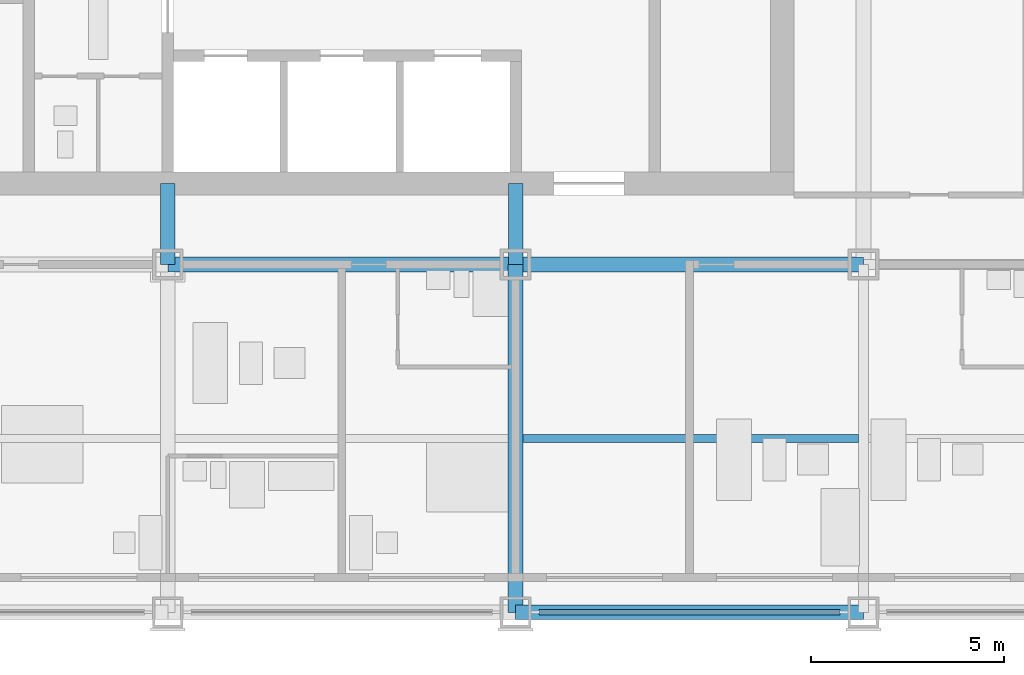
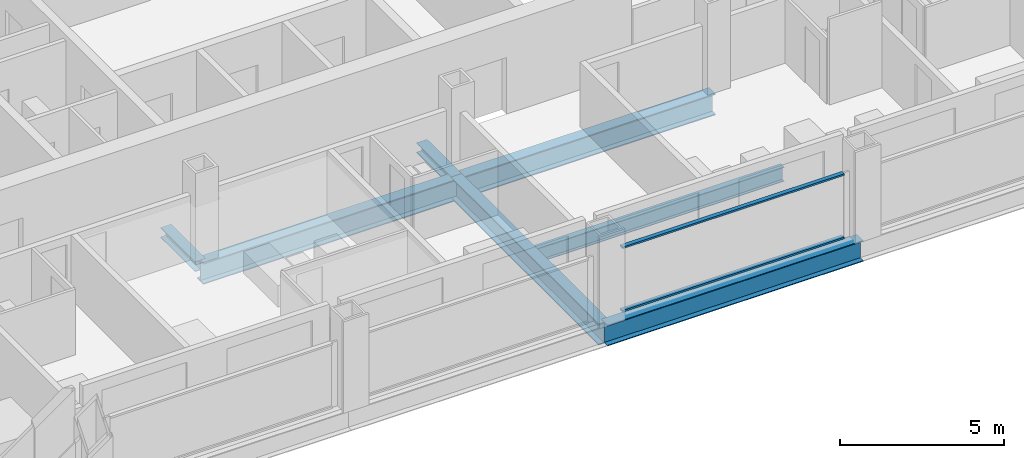
# One storey, part 3 of 18: 5 beams, 4 members, 1 element without a shape of its own.
"""IFC4 building model written with IfcOpenShell, lengths in metres."""

import ifcopenshell
import ifcopenshell.guid

model = None  # the IFC model being written
_history = None  # IfcOwnerHistory: only IFC2X3 demands one
_inside = {}  # id of a spatial element -> (the spatial element, [elements in it])
_under = {}  # id of a project, library or spatial element -> (it, [spatial elements below it])
_declared = {}  # id of a project -> (the project, [libraries it declares])
_typed = {}  # id of a type object -> (the type object, [elements of that type])
_made_of = {}  # id of a material, layer set ... -> (it, [elements and type objects made of it])


def new_model(schema):
    """Start an empty IFC model of exactly this schema.

    Asked for "IFC4X3", IfcOpenShell would pick the latest addendum, in which some entities
    have other attributes; the version numbers below select the first issue.
    IFC2X3 requires an IfcOwnerHistory on every rooted entity: one is made here for all.
    """
    global model, _history
    if schema == "IFC4X3":
        model = ifcopenshell.file(schema_version=(4, 3, 0, 0))
    else:
        model = ifcopenshell.file(schema=schema)
    _inside.clear()
    _under.clear()
    _declared.clear()
    _typed.clear()
    _made_of.clear()
    _history = None
    if model.schema == "IFC2X3":
        org = make("IfcOrganization", Name="unknown")
        user = make(
            "IfcPersonAndOrganization",
            ThePerson=make("IfcPerson", FamilyName="unknown"),
            TheOrganization=org,
        )
        app = make(
            "IfcApplication",
            ApplicationDeveloper=org,
            Version="unknown",
            ApplicationFullName="unknown",
            ApplicationIdentifier="unknown",
        )
        _history = make(
            "IfcOwnerHistory",
            OwningUser=user,
            OwningApplication=app,
            ChangeAction="ADDED",
            CreationDate=0,
        )
    return model


def make(cls, **values):
    """One entity of the class cls with the attributes given. An attribute that is None is left unset."""
    return model.create_entity(
        cls, **{name: value for name, value in values.items() if value is not None}
    )


def rooted(cls, **values):
    """An entity with a GlobalId (a new one), such as an element, a storey or a relation."""
    return make(cls, GlobalId=ifcopenshell.guid.new(), OwnerHistory=_history, **values)


def si_unit(unit_type, name, prefix=None):
    """IfcSIUnit, for example si_unit("LENGTHUNIT", "METRE", prefix="MILLI")."""
    return make("IfcSIUnit", UnitType=unit_type, Prefix=prefix, Name=name)


def assignment(units):
    """IfcUnitAssignment: the units of a project."""
    return None if units is None else make("IfcUnitAssignment", Units=units)


def point(xyz):
    """IfcCartesianPoint."""
    return None if xyz is None else make("IfcCartesianPoint", Coordinates=xyz)


def direction(xyz):
    """IfcDirection."""
    return None if xyz is None else make("IfcDirection", DirectionRatios=xyz)


def frame(location, z_axis=None, x_axis=None):
    """IfcAxis2Placement3D, a coordinate frame: its origin and axes. An axis left out is left unset."""
    return make(
        "IfcAxis2Placement3D",
        Location=point(location),
        Axis=direction(z_axis),
        RefDirection=direction(x_axis),
    )


def frame_2d(location, x_axis=None):
    """IfcAxis2Placement2D, a coordinate frame in the plane: its origin and x axis."""
    return make(
        "IfcAxis2Placement2D", Location=point(location), RefDirection=direction(x_axis)
    )


def origin():
    """The frame at (0, 0, 0) with its axes left unset."""
    return frame((0.0, 0.0, 0.0))


def origin_2d():
    """The frame at (0, 0) in the plane with its x axis left unset."""
    return frame_2d((0.0, 0.0))


def place(relative_to, where):
    """IfcLocalPlacement: puts the frame where relative to a parent placement (None: the world)."""
    return make(
        "IfcLocalPlacement", PlacementRelTo=relative_to, RelativePlacement=where
    )


def context(
    kind, dimensions, precision=None, world=None, true_north=None, identifier=None
):
    """IfcGeometricRepresentationContext, for example the 3D "Model" context."""
    return make(
        "IfcGeometricRepresentationContext",
        ContextIdentifier=identifier,
        ContextType=kind,
        CoordinateSpaceDimension=dimensions,
        Precision=precision,
        WorldCoordinateSystem=world,
        TrueNorth=true_north,
    )


def subcontext(parent, identifier, kind, view, scale=None):
    """IfcGeometricRepresentationSubContext, for example "Body" below "Model"."""
    return make(
        "IfcGeometricRepresentationSubContext",
        ContextIdentifier=identifier,
        ContextType=kind,
        ParentContext=parent,
        TargetScale=scale,
        TargetView=view,
    )


def project(units=None, contexts=None):
    """IfcProject with its units and contexts."""
    return rooted(
        "IfcProject",
        Name="project",
        RepresentationContexts=contexts,
        UnitsInContext=assignment(units),
    )


def spatial(cls, under=None, at=None, **own):
    """A site, building, storey or space (cls), placed at a placement, below another one or the project."""
    s = rooted(cls, ObjectPlacement=at, **own)
    if under is not None:
        _under.setdefault(under.id(), (under, []))[1].append(s)
    return s


def profile(cls, at=None, kind="AREA", **sizes):
    """A parametric profile (cls). Its sizes go by their IFC names, for example OverallWidth=200.0."""
    return make(cls, ProfileType=kind, Position=at, **sizes)


def rectangle(**sizes):
    """IfcRectangleProfileDef."""
    return profile("IfcRectangleProfileDef", **sizes)


def i_section(**sizes):
    """IfcIShapeProfileDef."""
    return profile("IfcIShapeProfileDef", **sizes)


def extrude(swept, where, along, depth):
    """IfcExtrudedAreaSolid: the profile swept, set in the frame where, extruded along a direction by depth."""
    return make(
        "IfcExtrudedAreaSolid",
        SweptArea=swept,
        Position=where,
        ExtrudedDirection=direction(along),
        Depth=depth,
    )


def shape(context_of_items, identifier, shape_type, items):
    """IfcShapeRepresentation: the items that make up one representation, for example the "Body"."""
    return make(
        "IfcShapeRepresentation",
        ContextOfItems=context_of_items,
        RepresentationIdentifier=identifier,
        RepresentationType=shape_type,
        Items=items,
    )


def material(Name=None, Category=None):
    """IfcMaterial."""
    return make("IfcMaterial", Name=Name, Category=Category)


def material_profile(
    of_material, cross_section, Name=None, Category=None, Priority=None
):
    """IfcMaterialProfile: a cross section and its material."""
    return make(
        "IfcMaterialProfile",
        Name=Name,
        Material=of_material,
        Profile=cross_section,
        Priority=Priority,
        Category=Category,
    )


def profile_set(profiles, Name=None, composite=None):
    """IfcMaterialProfileSet."""
    return make(
        "IfcMaterialProfileSet",
        Name=Name,
        MaterialProfiles=profiles,
        CompositeProfile=composite,
    )


def made_of(thing, what):
    """Note that an element or type object is made of a material, layer set ...; save() writes the relation."""
    if what is not None:
        _made_of.setdefault(what.id(), (what, []))[1].append(thing)
    return thing


def type_object(cls, material=None, **own):
    """A type object (cls), such as IfcWallType, which elements share."""
    return made_of(rooted(cls, **own), material)


def element(
    cls,
    number,
    at=None,
    inside=None,
    cuts=None,
    type_object=None,
    material=None,
    context=None,
    identifier="Body",
    shape_type=None,
    held_by="IfcProductDefinitionShape",
    body=None,
    shapes=None,
    **own,
):
    """One element of the class cls, such as IfcWall. Its Tag is "e" and its number.

    at: its placement. inside: the storey or other place that contains it. cuts: it is an
    opening in that element (IfcRelVoidsElement). A single representation is given by context,
    identifier, shape_type and body (its items); several are given by shapes. held_by: the class
    of the entity that holds the representations. save() writes the other relations.
    """
    e = rooted(cls, Tag="e%d" % number, ObjectPlacement=at, **own)
    if body is not None:
        shapes = [shape(context, identifier, shape_type, body)]
    if shapes is not None:
        e.Representation = make(held_by, Representations=shapes)
    if inside is not None:
        _inside.setdefault(inside.id(), (inside, []))[1].append(e)
    if cuts is not None:
        rooted(
            "IfcRelVoidsElement", RelatingBuildingElement=cuts, RelatedOpeningElement=e
        )
    if type_object is not None:
        _typed.setdefault(type_object.id(), (type_object, []))[1].append(e)
    return made_of(e, material)


def aggregate(whole, parts):
    """IfcRelAggregates: a whole, such as a stair, and the parts it consists of."""
    return rooted("IfcRelAggregates", RelatingObject=whole, RelatedObjects=parts)


def save(model, path):
    """Write the relations noted so far, then the file.

    IfcRelAggregates (storeys below a building ...), IfcRelContainedInSpatialStructure (elements
    in a storey), IfcRelDefinesByType, IfcRelAssociatesMaterial and IfcRelDeclares: one each for
    every whole, place, type object, material and project.
    """
    for whole, parts in _under.values():
        aggregate(whole, parts)
    for where, things in _inside.values():
        rooted(
            "IfcRelContainedInSpatialStructure",
            RelatedElements=things,
            RelatingStructure=where,
        )
    for kind, things in _typed.values():
        rooted("IfcRelDefinesByType", RelatedObjects=things, RelatingType=kind)
    for what, things in _made_of.values():
        rooted("IfcRelAssociatesMaterial", RelatedObjects=things, RelatingMaterial=what)
    for by, libraries in _declared.values():
        rooted("IfcRelDeclares", RelatingContext=by, RelatedDefinitions=libraries)
    model.write(path)


model = new_model("IFC4")

# Units and contexts
model_context = context("Model", 3, precision=1e-05, world=origin(), true_north=direction((0.0, 1.0)))
body_context = subcontext(model_context, "Body", "Model", "MODEL_VIEW")
ifc_project = project(units=[si_unit("LENGTHUNIT", "METRE"), si_unit("AREAUNIT", "SQUARE_METRE"), si_unit("VOLUMEUNIT", "CUBIC_METRE"), si_unit("PLANEANGLEUNIT", "RADIAN"), si_unit("MASSUNIT", "GRAM", prefix="KILO")], contexts=[model_context])

# Site, building, storey
site_placement = place(None, origin())
site = spatial("IfcSite", under=ifc_project, at=site_placement, CompositionType="ELEMENT")
building_placement = place(site_placement, origin())
building = spatial("IfcBuilding", under=site, at=building_placement, Name="Loomwork Tower", CompositionType="ELEMENT")
storey_placement = place(building_placement, frame((0.0, 0.0, 58.60009765625)))
storey = spatial("IfcBuildingStorey", under=building, at=storey_placement, Name="L14", CompositionType="ELEMENT", Elevation=58.60009765625)

# Beams
ifc_material_1 = material(Name="Steel ASTM A992", Category="steel")
ifc_material_profile_1 = material_profile(ifc_material_1, i_section(OverallWidth=0.383544921875, OverallDepth=0.794921875, WebThickness=0.02099609375, FlangeThickness=0.0380859375, at=origin_2d()), Name="W30x235")
ifc_profile_set_1 = profile_set([ifc_material_profile_1], Name="Steel ASTM A992")
beam_type_1 = type_object("IfcBeamType", Name="CORE FLANK GIRDER W30x235", PredefinedType="BEAM", material=ifc_profile_set_1)
for number, where, z_axis, x_axis, name in (
    (1, (18.0, 9.0, -0.59765625), (1.0, 0.0, 0.0), (0.0, 1.0, 0.0), "Core Flank Girder E/4-E/5 L14"),
    (2, (27.0, 9.0, -0.59765625), (1.0, 0.0, 0.0), (0.0, 1.0, 0.0), "Core Flank Girder E/5-E/6 L14"),
    (3, (27.0, 0.0, -0.59765625), (0.0, 1.0, 0.0), (-1.0, 0.0, 0.0), "Core Flank Girder D/5-E/5 L14"),
):
    element("IfcBeam", number, at=place(storey_placement, frame(where, z_axis=z_axis, x_axis=x_axis)), inside=storey, type_object=beam_type_1, Name=name, PredefinedType="BEAM", context=body_context, shape_type="SweptSolid", body=[
        extrude(i_section(OverallWidth=0.383544921875, OverallDepth=0.794921875, WebThickness=0.02099609375, FlangeThickness=0.0380859375, at=origin_2d()), origin(), (0.0, 0.0, 1.0), 9.0),
    ])

# Members
ifc_material_2 = material(Name="Steel ASTM A992", Category="steel")
ifc_material_profile_2 = material_profile(ifc_material_2, i_section(OverallWidth=0.373291015625, OverallDepth=0.373291015625, WebThickness=0.016357421875, FlangeThickness=0.026123046875, at=origin_2d()), Name="W14x132")
ifc_profile_set_2 = profile_set([ifc_material_profile_2], Name="Steel ASTM A992")
member_type_1 = type_object("IfcMemberType", Name="CORE LINK STRUT W14x132", PredefinedType="STRUT", material=ifc_profile_set_2)
for number, where, z_axis, x_axis, name in (
    (4, (27.0, 9.0, -0.38671875), (0.0, 1.0, 0.0), (-1.0, 0.0, 0.0), "Core link strut E/5-27.000,11.100 L14"),
    (5, (18.0, 9.0, -0.38671875), (0.0, 1.0, 0.0), (-1.0, 0.0, 0.0), "Core link strut E/4-18.000,11.100 L14"),
):
    element("IfcMember", number, at=place(storey_placement, frame(where, z_axis=z_axis, x_axis=x_axis)), inside=storey, type_object=member_type_1, Name=name, PredefinedType="STRUT", context=body_context, shape_type="SweptSolid", body=[
        extrude(i_section(OverallWidth=0.373291015625, OverallDepth=0.373291015625, WebThickness=0.016357421875, FlangeThickness=0.026123046875, at=origin_2d()), origin(), (0.0, 0.0, 1.0), 2.10009765625),
    ])

# Beam
ifc_material_3 = material(Name="Steel ASTM A992", Category="steel")
ifc_material_profile_3 = material_profile(ifc_material_3, i_section(OverallWidth=0.2109375, OverallDepth=0.53857421875, WebThickness=0.011474609375, FlangeThickness=0.018798828125, at=origin_2d()), Name="W21x73")
ifc_profile_set_3 = profile_set([ifc_material_profile_3], Name="Steel ASTM A992")
beam_type_2 = type_object("IfcBeamType", Name="FLOOR JOIST W21x73", PredefinedType="JOIST", material=ifc_profile_set_3)
beam_1_placement = place(storey_placement, frame((27.19091796875, 4.5, -0.46923828125), z_axis=(1.0, 0.0, 0.0), x_axis=(0.0, 1.0, 0.0)))
element("IfcBeam", 6, at=beam_1_placement, inside=storey, type_object=beam_type_2, Name="Floor Joist 27.000,4.500-36.000,4.500 L14", PredefinedType="JOIST", context=body_context, shape_type="SweptSolid", body=[
    extrude(i_section(OverallWidth=0.2109375, OverallDepth=0.53857421875, WebThickness=0.011474609375, FlangeThickness=0.018798828125, at=origin_2d()), origin(), (0.0, 0.0, 1.0), 8.676025390625),
])

# Curtain wall, members
ifc_material_4 = material(Name="Aluminium curtain wall frame", Category="aluminium")
curtain_wall_type = type_object("IfcCurtainWallType", Name="Outer skin glazing hotel", PredefinedType="NOTDEFINED", material=ifc_material_4)
curtain_wall_placement = place(storey_placement, origin())
curtain_wall = element("IfcCurtainWall", 7, at=curtain_wall_placement, inside=storey, type_object=curtain_wall_type, Name="Outer skin glazing hotel cw/S-27", PredefinedType="NOTDEFINED")
ifc_material_5 = material(Name="Aluminium curtain wall frame", Category="aluminium")
ifc_material_profile_4 = material_profile(ifc_material_5, rectangle(XDim=0.14990234375, YDim=0.06494140625, at=origin_2d()), Name="AL 65x150")
ifc_profile_set_4 = profile_set([ifc_material_profile_4], Name="Aluminium curtain wall frame")
member_type_2 = type_object("IfcMemberType", Name="Outer skin glazing hotel transom", PredefinedType="USERDEFINED", material=ifc_profile_set_4)
member_1_placement = place(storey_placement, frame((27.60009765625, 0.0, 0.032470703125), z_axis=(1.0, 0.0, 0.0), x_axis=(0.0, 1.0, 0.0)))
member_1 = element("IfcMember", 8, at=member_1_placement, type_object=member_type_2, Name="CW1 transom 1.1", ObjectType="TRANSOM", PredefinedType="USERDEFINED", context=body_context, shape_type="SweptSolid", body=[
    extrude(rectangle(XDim=0.14990234375, YDim=0.06494140625, at=origin_2d()), origin(), (0.0, 0.0, 1.0), 7.7998046875),
])
member_2_placement = place(storey_placement, frame((27.60009765625, 0.0, 2.3876953125), z_axis=(1.0, 0.0, 0.0), x_axis=(0.0, 1.0, 0.0)))
member_2 = element("IfcMember", 9, at=member_2_placement, type_object=member_type_2, Name="CW1 transom 1.2", ObjectType="TRANSOM", PredefinedType="USERDEFINED", context=body_context, shape_type="SweptSolid", body=[
    extrude(rectangle(XDim=0.14990234375, YDim=0.06494140625, at=origin_2d()), origin(), (0.0, 0.0, 1.0), 7.7998046875),
])
aggregate(curtain_wall, [member_1, member_2])

# Beam
ifc_material_6 = material(Name="Steel ASTM A992", Category="steel")
ifc_material_profile_5 = material_profile(ifc_material_6, i_section(OverallWidth=0.381103515625, OverallDepth=0.77978515625, WebThickness=0.01806640625, FlangeThickness=0.0302734375, at=origin_2d()), Name="W30x191")
ifc_profile_set_5 = profile_set([ifc_material_profile_5], Name="Steel ASTM A992")
beam_type_3 = type_object("IfcBeamType", Name="SPANDREL GIRDER W30x191", PredefinedType="SPANDREL", material=ifc_profile_set_5)
beam_2_placement = place(storey_placement, frame((27.0, 0.0, -0.590087890625), z_axis=(1.0, 0.0, 0.0), x_axis=(0.0, 1.0, 0.0)))
element("IfcBeam", 10, at=beam_2_placement, inside=storey, type_object=beam_type_3, Name="Spandrel Girder D/5-D/6 L14", PredefinedType="SPANDREL", context=body_context, shape_type="SweptSolid", body=[
    extrude(i_section(OverallWidth=0.381103515625, OverallDepth=0.77978515625, WebThickness=0.01806640625, FlangeThickness=0.0302734375, at=origin_2d()), origin(), (0.0, 0.0, 1.0), 9.0),
])

save(model, "model.ifc")
